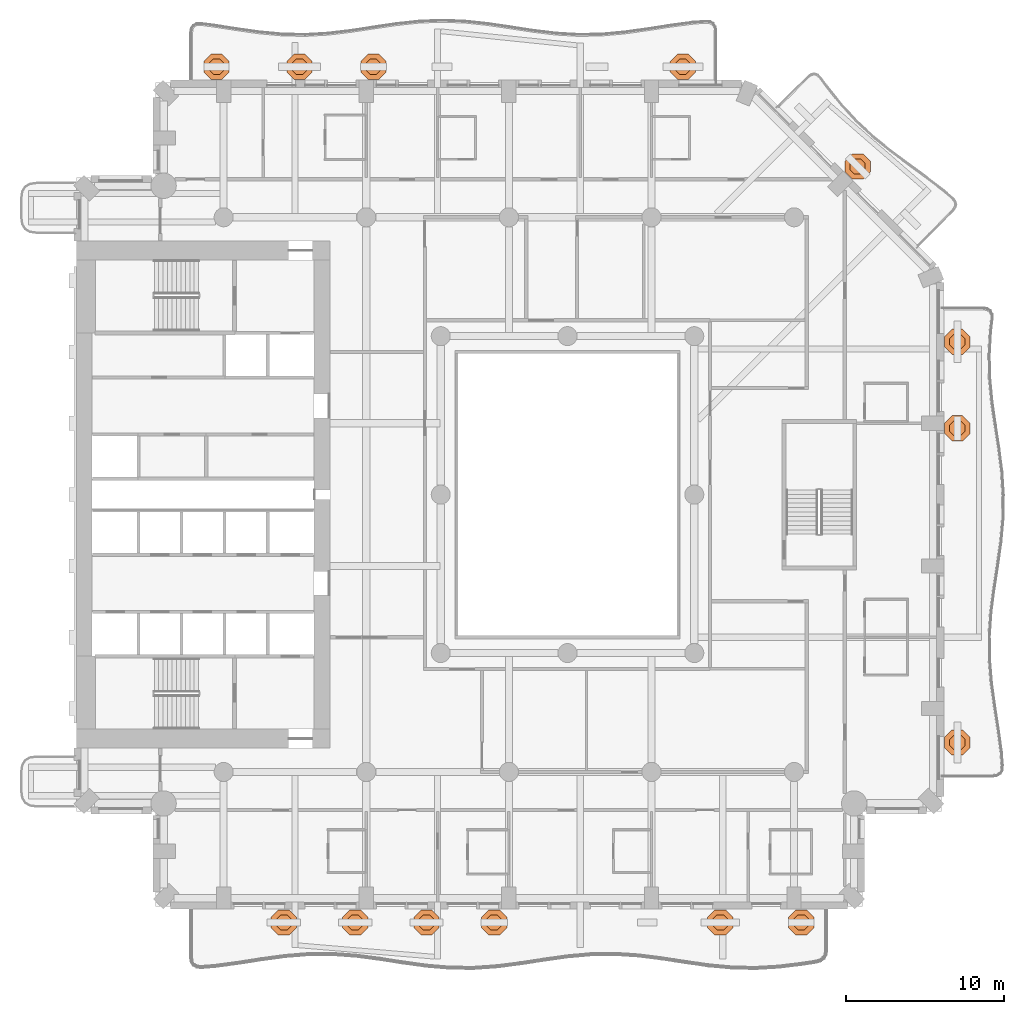
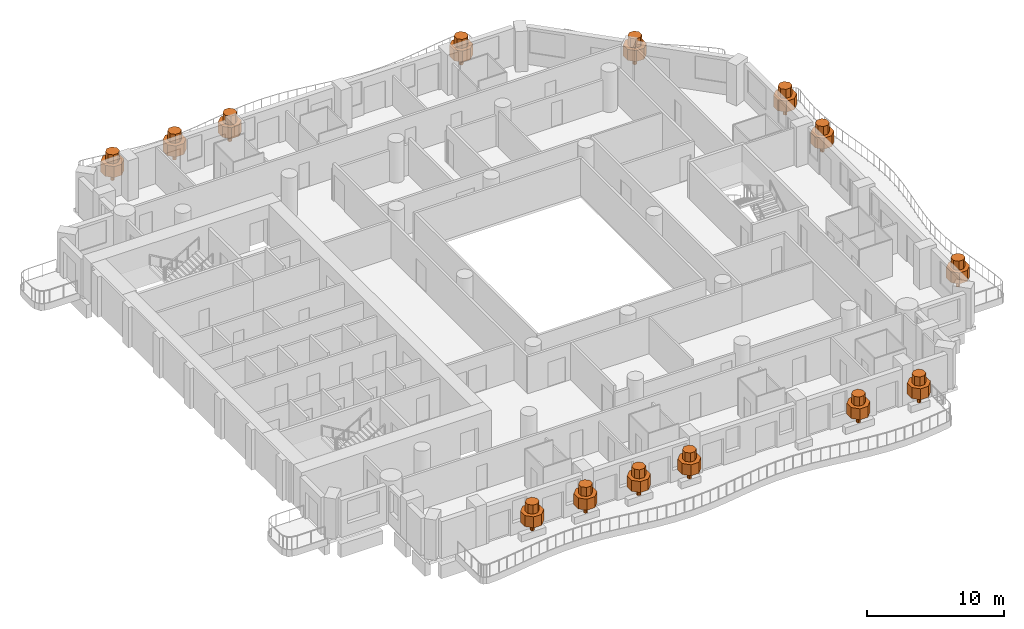
# One storey, part 19 of 19: 14 geographic elements.
"""IFC4 building model written with IfcOpenShell, lengths in metres."""

from ifc_helpers import new_model, si_unit, direction, frame, origin, place, context, subcontext, project, spatial, polyline, outline, extrude, material, type_object, element, save


model = new_model("IFC4")

# Units and contexts
model_context = context("Model", 3, precision=1e-05, world=origin(), true_north=direction((0.0, 1.0)))
body_context = subcontext(model_context, "Body", "Model", "MODEL_VIEW")
ifc_project = project(units=[si_unit("LENGTHUNIT", "METRE"), si_unit("AREAUNIT", "SQUARE_METRE"), si_unit("VOLUMEUNIT", "CUBIC_METRE"), si_unit("PLANEANGLEUNIT", "RADIAN"), si_unit("MASSUNIT", "GRAM", prefix="KILO")], contexts=[model_context])

# Site, building, storey
site_placement = place(None, origin())
site = spatial("IfcSite", under=ifc_project, at=site_placement, CompositionType="ELEMENT")
building_placement = place(site_placement, origin())
building = spatial("IfcBuilding", under=site, at=building_placement, Name="Cypress Arch Tower", CompositionType="ELEMENT")
storey_placement = place(building_placement, frame((0.0, 0.0, 98.699951171875)))
storey = spatial("IfcBuildingStorey", under=building, at=storey_placement, Name="L19", CompositionType="ELEMENT", Elevation=98.699951171875)

# Geographic elements
ifc_material = material(Name="Foliage and planting")
geographic_element_type = type_object("IfcGeographicElementType", Name="Balcony tree TR", PredefinedType="USERDEFINED", material=ifc_material)
for number, where, z_axis, x_axis, name in (
    (1, (-16.89990234375, -27.0, 0.60009765625), (0.0, 0.0, 1.0), (1.0, 0.0, 0.0), "Balcony tree L19-A03.1"),
    (2, (-12.39990234375, -27.0, 0.60009765625), (0.0, 0.0, 1.0), (1.0, 0.0, 0.0), "Balcony tree L19-A03.2"),
    (3, (-7.89990234375, -27.0, 0.60009765625), (0.0, 0.0, 1.0), (1.0, 0.0, 0.0), "Balcony tree L19-A03.3"),
    (4, (-3.625, -27.0, 0.60009765625), (0.0, 0.0, 1.0), (1.0, 0.0, 0.0), "Balcony tree L19-A03.4"),
    (5, (10.639892578125, -27.0, 0.60009765625), (0.0, 0.0, 1.0), (1.0, 0.0, 0.0), "Balcony tree L19-A03.6"),
    (6, (15.75, -27.0, 0.60009765625), (0.0, 0.0, 1.0), (1.0, 0.0, 0.0), "Balcony tree L19-A03.7"),
    (7, (25.60009765625, -15.642822265625, 0.60009765625), (0.0, 0.0, 1.0), (1.0, 0.0, 0.0), "Balcony tree L19-A06.1"),
    (8, (25.60009765625, 4.1826171875, 0.60009765625), (0.0, 0.0, 1.0), (1.0, 0.0, 0.0), "Balcony tree L19-A06.2"),
    (9, (25.60009765625, 9.642822265625, 0.60009765625), (0.0, 0.0, 1.0), (1.0, 0.0, 0.0), "Balcony tree L19-A06.3"),
    (10, (19.30712890625, 20.70703125, 0.60009765625), (0.0, 0.0, 1.0), (1.0, 0.0, 0.0), "Balcony tree L19-A07.2"),
    (11, (8.28125, 27.0, 0.60009765625), (0.0, 0.0, 1.0), (1.0, 0.0, 0.0), "Balcony tree L19-A08.1"),
    (12, (-11.24365234375, 27.0, 0.60009765625), (0.0, 0.0, 1.0), (1.0, 0.0, 0.0), "Balcony tree L19-A08.4"),
    (13, (-15.91259765625, 27.0, 0.60009765625), (0.0, 0.0, 1.0), (1.0, 0.0, 0.0), "Balcony tree L19-A08.5"),
    (14, (-21.14990234375, 27.0, 0.60009765625), (0.0, 0.0, 1.0), (1.0, 0.0, 0.0), "Balcony tree L19-A08.6"),
):
    element("IfcGeographicElement", number, at=place(storey_placement, frame(where, z_axis=z_axis, x_axis=x_axis)), inside=storey, type_object=geographic_element_type, Name=name, ObjectType="TREE", PredefinedType="USERDEFINED", context=body_context, shape_type="SweptSolid", body=[
        extrude(outline(polyline([(0.14990234375, 0.06201171875), (0.06201171875, 0.14990234375), (-0.06201171875, 0.14990234375), (-0.14990234375, 0.06201171875), (-0.14990234375, -0.06201171875), (-0.06201171875, -0.14990234375), (0.06201171875, -0.14990234375), (0.14990234375, -0.06201171875), (0.14990234375, 0.06201171875)])), origin(), (0.0, 0.0, 1.0), 0.864990234375),
        extrude(outline(polyline([(0.800048828125, 0.331298828125), (0.331298828125, 0.800048828125), (-0.331298828125, 0.800048828125), (-0.800048828125, 0.331298828125), (-0.800048828125, -0.331298828125), (-0.331298828125, -0.800048828125), (0.331298828125, -0.800048828125), (0.800048828125, -0.331298828125), (0.800048828125, 0.331298828125)])), frame((0.0, 0.0, 0.764892578125)), (0.0, 0.0, 1.0), 0.981689453125),
        extrude(outline(polyline([(0.47998046875, 0.19873046875), (0.19873046875, 0.47998046875), (-0.19873046875, 0.47998046875), (-0.47998046875, 0.19873046875), (-0.47998046875, -0.19873046875), (-0.19873046875, -0.47998046875), (0.19873046875, -0.47998046875), (0.47998046875, -0.19873046875), (0.47998046875, 0.19873046875)])), frame((0.0, 0.0, 1.746826171875)), (0.0, 0.0, 1.0), 0.80322265625),
    ])

save(model, "model.ifc")
